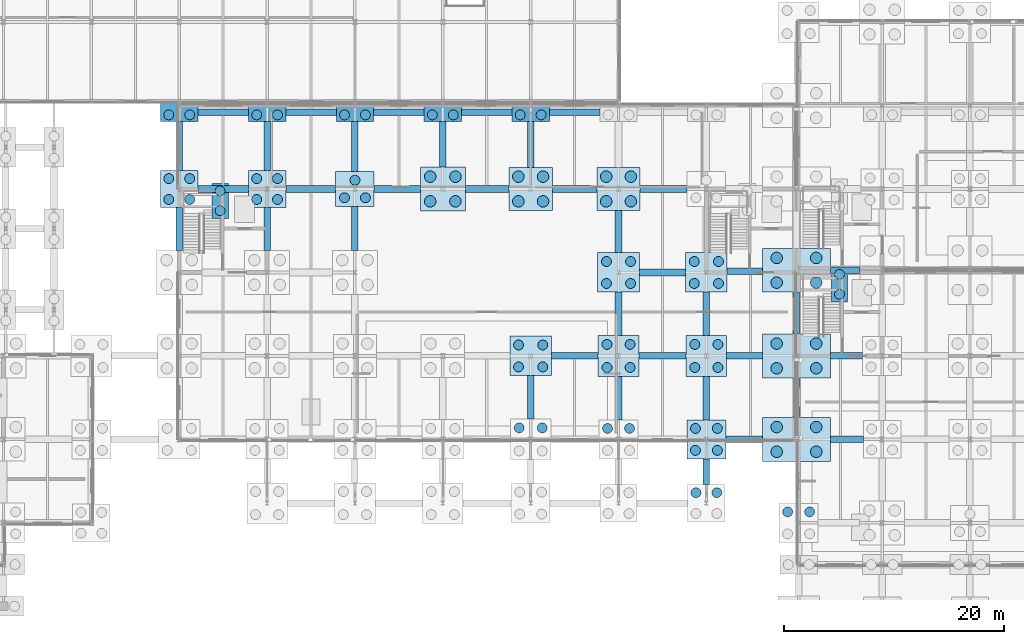
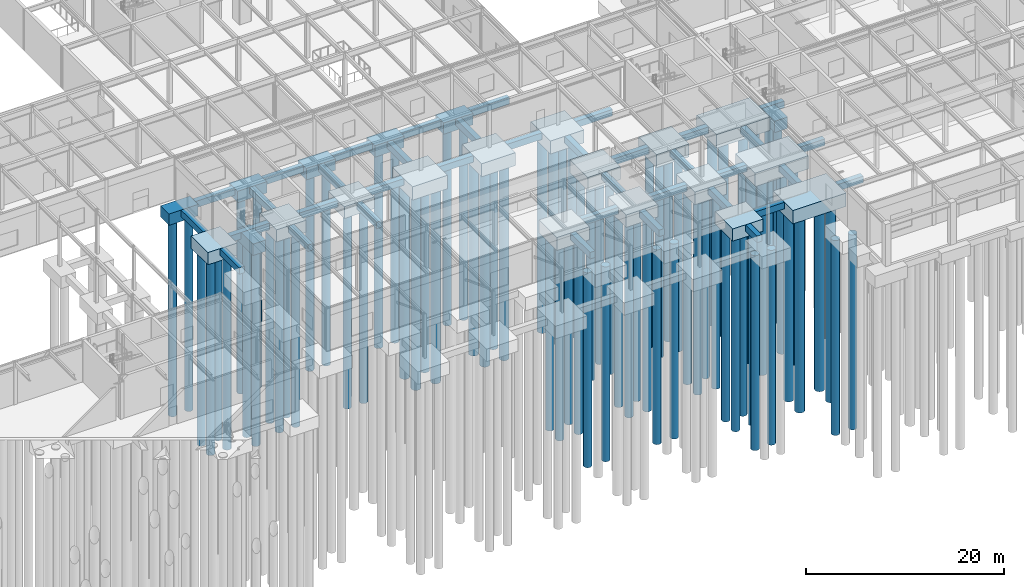
# One storey, part 4 of 62: 81 piles, 59 footings.
"""IFC4 building model written with IfcOpenShell, lengths in metres."""

import ifcopenshell
import ifcopenshell.guid

model = None  # the IFC model being written
_history = None  # IfcOwnerHistory: only IFC2X3 demands one
_inside = {}  # id of a spatial element -> (the spatial element, [elements in it])
_under = {}  # id of a project, library or spatial element -> (it, [spatial elements below it])
_declared = {}  # id of a project -> (the project, [libraries it declares])
_typed = {}  # id of a type object -> (the type object, [elements of that type])
_made_of = {}  # id of a material, layer set ... -> (it, [elements and type objects made of it])


def new_model(schema):
    """Start an empty IFC model of exactly this schema.

    Asked for "IFC4X3", IfcOpenShell would pick the latest addendum, in which some entities
    have other attributes; the version numbers below select the first issue.
    IFC2X3 requires an IfcOwnerHistory on every rooted entity: one is made here for all.
    """
    global model, _history
    if schema == "IFC4X3":
        model = ifcopenshell.file(schema_version=(4, 3, 0, 0))
    else:
        model = ifcopenshell.file(schema=schema)
    _inside.clear()
    _under.clear()
    _declared.clear()
    _typed.clear()
    _made_of.clear()
    _history = None
    if model.schema == "IFC2X3":
        org = make("IfcOrganization", Name="unknown")
        user = make(
            "IfcPersonAndOrganization",
            ThePerson=make("IfcPerson", FamilyName="unknown"),
            TheOrganization=org,
        )
        app = make(
            "IfcApplication",
            ApplicationDeveloper=org,
            Version="unknown",
            ApplicationFullName="unknown",
            ApplicationIdentifier="unknown",
        )
        _history = make(
            "IfcOwnerHistory",
            OwningUser=user,
            OwningApplication=app,
            ChangeAction="ADDED",
            CreationDate=0,
        )
    return model


def make(cls, **values):
    """One entity of the class cls with the attributes given. An attribute that is None is left unset."""
    return model.create_entity(
        cls, **{name: value for name, value in values.items() if value is not None}
    )


def rooted(cls, **values):
    """An entity with a GlobalId (a new one), such as an element, a storey or a relation."""
    return make(cls, GlobalId=ifcopenshell.guid.new(), OwnerHistory=_history, **values)


def si_unit(unit_type, name, prefix=None):
    """IfcSIUnit, for example si_unit("LENGTHUNIT", "METRE", prefix="MILLI")."""
    return make("IfcSIUnit", UnitType=unit_type, Prefix=prefix, Name=name)


def assignment(units):
    """IfcUnitAssignment: the units of a project."""
    return None if units is None else make("IfcUnitAssignment", Units=units)


def point(xyz):
    """IfcCartesianPoint."""
    return None if xyz is None else make("IfcCartesianPoint", Coordinates=xyz)


def direction(xyz):
    """IfcDirection."""
    return None if xyz is None else make("IfcDirection", DirectionRatios=xyz)


def frame(location, z_axis=None, x_axis=None):
    """IfcAxis2Placement3D, a coordinate frame: its origin and axes. An axis left out is left unset."""
    return make(
        "IfcAxis2Placement3D",
        Location=point(location),
        Axis=direction(z_axis),
        RefDirection=direction(x_axis),
    )


def frame_2d(location, x_axis=None):
    """IfcAxis2Placement2D, a coordinate frame in the plane: its origin and x axis."""
    return make(
        "IfcAxis2Placement2D", Location=point(location), RefDirection=direction(x_axis)
    )


def origin():
    """The frame at (0, 0, 0) with its axes left unset."""
    return frame((0.0, 0.0, 0.0))


def origin_2d():
    """The frame at (0, 0) in the plane with its x axis left unset."""
    return frame_2d((0.0, 0.0))


def place(relative_to, where):
    """IfcLocalPlacement: puts the frame where relative to a parent placement (None: the world)."""
    return make(
        "IfcLocalPlacement", PlacementRelTo=relative_to, RelativePlacement=where
    )


def context(
    kind, dimensions, precision=None, world=None, true_north=None, identifier=None
):
    """IfcGeometricRepresentationContext, for example the 3D "Model" context."""
    return make(
        "IfcGeometricRepresentationContext",
        ContextIdentifier=identifier,
        ContextType=kind,
        CoordinateSpaceDimension=dimensions,
        Precision=precision,
        WorldCoordinateSystem=world,
        TrueNorth=true_north,
    )


def subcontext(parent, identifier, kind, view, scale=None):
    """IfcGeometricRepresentationSubContext, for example "Body" below "Model"."""
    return make(
        "IfcGeometricRepresentationSubContext",
        ContextIdentifier=identifier,
        ContextType=kind,
        ParentContext=parent,
        TargetScale=scale,
        TargetView=view,
    )


def project(units=None, contexts=None):
    """IfcProject with its units and contexts."""
    return rooted(
        "IfcProject",
        Name="project",
        RepresentationContexts=contexts,
        UnitsInContext=assignment(units),
    )


def spatial(cls, under=None, at=None, **own):
    """A site, building, storey or space (cls), placed at a placement, below another one or the project."""
    s = rooted(cls, ObjectPlacement=at, **own)
    if under is not None:
        _under.setdefault(under.id(), (under, []))[1].append(s)
    return s


def profile(cls, at=None, kind="AREA", **sizes):
    """A parametric profile (cls). Its sizes go by their IFC names, for example OverallWidth=200.0."""
    return make(cls, ProfileType=kind, Position=at, **sizes)


def rectangle(**sizes):
    """IfcRectangleProfileDef."""
    return profile("IfcRectangleProfileDef", **sizes)


def circle(**sizes):
    """IfcCircleProfileDef."""
    return profile("IfcCircleProfileDef", **sizes)


def extrude(swept, where, along, depth):
    """IfcExtrudedAreaSolid: the profile swept, set in the frame where, extruded along a direction by depth."""
    return make(
        "IfcExtrudedAreaSolid",
        SweptArea=swept,
        Position=where,
        ExtrudedDirection=direction(along),
        Depth=depth,
    )


def shape(context_of_items, identifier, shape_type, items):
    """IfcShapeRepresentation: the items that make up one representation, for example the "Body"."""
    return make(
        "IfcShapeRepresentation",
        ContextOfItems=context_of_items,
        RepresentationIdentifier=identifier,
        RepresentationType=shape_type,
        Items=items,
    )


def material(Name=None, Category=None):
    """IfcMaterial."""
    return make("IfcMaterial", Name=Name, Category=Category)


def material_profile(
    of_material, cross_section, Name=None, Category=None, Priority=None
):
    """IfcMaterialProfile: a cross section and its material."""
    return make(
        "IfcMaterialProfile",
        Name=Name,
        Material=of_material,
        Profile=cross_section,
        Priority=Priority,
        Category=Category,
    )


def profile_set(profiles, Name=None, composite=None):
    """IfcMaterialProfileSet."""
    return make(
        "IfcMaterialProfileSet",
        Name=Name,
        MaterialProfiles=profiles,
        CompositeProfile=composite,
    )


def made_of(thing, what):
    """Note that an element or type object is made of a material, layer set ...; save() writes the relation."""
    if what is not None:
        _made_of.setdefault(what.id(), (what, []))[1].append(thing)
    return thing


def type_object(cls, material=None, **own):
    """A type object (cls), such as IfcWallType, which elements share."""
    return made_of(rooted(cls, **own), material)


def element(
    cls,
    number,
    at=None,
    inside=None,
    cuts=None,
    type_object=None,
    material=None,
    context=None,
    identifier="Body",
    shape_type=None,
    held_by="IfcProductDefinitionShape",
    body=None,
    shapes=None,
    **own,
):
    """One element of the class cls, such as IfcWall. Its Tag is "e" and its number.

    at: its placement. inside: the storey or other place that contains it. cuts: it is an
    opening in that element (IfcRelVoidsElement). A single representation is given by context,
    identifier, shape_type and body (its items); several are given by shapes. held_by: the class
    of the entity that holds the representations. save() writes the other relations.
    """
    e = rooted(cls, Tag="e%d" % number, ObjectPlacement=at, **own)
    if body is not None:
        shapes = [shape(context, identifier, shape_type, body)]
    if shapes is not None:
        e.Representation = make(held_by, Representations=shapes)
    if inside is not None:
        _inside.setdefault(inside.id(), (inside, []))[1].append(e)
    if cuts is not None:
        rooted(
            "IfcRelVoidsElement", RelatingBuildingElement=cuts, RelatedOpeningElement=e
        )
    if type_object is not None:
        _typed.setdefault(type_object.id(), (type_object, []))[1].append(e)
    return made_of(e, material)


def aggregate(whole, parts):
    """IfcRelAggregates: a whole, such as a stair, and the parts it consists of."""
    return rooted("IfcRelAggregates", RelatingObject=whole, RelatedObjects=parts)


def save(model, path):
    """Write the relations noted so far, then the file.

    IfcRelAggregates (storeys below a building ...), IfcRelContainedInSpatialStructure (elements
    in a storey), IfcRelDefinesByType, IfcRelAssociatesMaterial and IfcRelDeclares: one each for
    every whole, place, type object, material and project.
    """
    for whole, parts in _under.values():
        aggregate(whole, parts)
    for where, things in _inside.values():
        rooted(
            "IfcRelContainedInSpatialStructure",
            RelatedElements=things,
            RelatingStructure=where,
        )
    for kind, things in _typed.values():
        rooted("IfcRelDefinesByType", RelatedObjects=things, RelatingType=kind)
    for what, things in _made_of.values():
        rooted("IfcRelAssociatesMaterial", RelatedObjects=things, RelatingMaterial=what)
    for by, libraries in _declared.values():
        rooted("IfcRelDeclares", RelatingContext=by, RelatedDefinitions=libraries)
    model.write(path)


model = new_model("IFC4")

# Units and contexts
model_context = context("Model", 3, precision=1e-05, world=origin(), true_north=direction((0.0, 1.0)))
body_context = subcontext(model_context, "Body", "Model", "MODEL_VIEW")
ifc_project = project(units=[si_unit("LENGTHUNIT", "METRE"), si_unit("AREAUNIT", "SQUARE_METRE"), si_unit("VOLUMEUNIT", "CUBIC_METRE"), si_unit("PLANEANGLEUNIT", "RADIAN"), si_unit("MASSUNIT", "GRAM", prefix="KILO")], contexts=[model_context])

# Site, building, storey
site_placement = place(None, origin())
site = spatial("IfcSite", under=ifc_project, at=site_placement, CompositionType="ELEMENT")
building_placement = place(site_placement, origin())
building = spatial("IfcBuilding", under=site, at=building_placement, Name="Zulena Civic Courthouse", CompositionType="ELEMENT")
storey_placement = place(building_placement, origin())
storey = spatial("IfcBuildingStorey", under=building, at=storey_placement, Name="L00", CompositionType="ELEMENT", Elevation=0.0)

# Piles
ifc_material_1 = material(Name="Concrete C40/50", Category="concrete")
ifc_material_profile_1 = material_profile(ifc_material_1, circle(Radius=0.52490234375, at=origin_2d()), Name="PILE1050")
ifc_profile_set_1 = profile_set([ifc_material_profile_1], Name="Concrete C40/50")
pile_type_1 = type_object("IfcPileType", Name="BoredPile_1050", PredefinedType="BORED", material=ifc_profile_set_1)
for number, where, z_axis, x_axis, name in (
    (1, (90.85009765625, 36.875, -1.780029296875), (0.0, 0.0, -1.0), (1.0, 0.0, 0.0), "pile:L00:071:1"),
    (2, (93.14990234375, 36.875, -1.780029296875), (0.0, 0.0, -1.0), (1.0, 0.0, 0.0), "pile:L00:071:2"),
    (3, (90.85009765625, 39.125, -1.780029296875), (0.0, 0.0, -1.0), (1.0, 0.0, 0.0), "pile:L00:071:3"),
    (4, (93.14990234375, 39.125, -1.780029296875), (0.0, 0.0, -1.0), (1.0, 0.0, 0.0), "pile:L00:071:4"),
    (5, (98.875, 36.875, -1.72998046875), (0.0, 0.0, -1.0), (1.0, 0.0, 0.0), "pile:L00:076:1"),
    (6, (101.125, 36.875, -1.72998046875), (0.0, 0.0, -1.0), (1.0, 0.0, 0.0), "pile:L00:076:2"),
    (7, (98.875, 39.125, -1.72998046875), (0.0, 0.0, -1.0), (1.0, 0.0, 0.0), "pile:L00:076:3"),
    (8, (101.125, 39.125, -1.72998046875), (0.0, 0.0, -1.0), (1.0, 0.0, 0.0), "pile:L00:076:4"),
    (9, (106.875, 36.875, -1.72998046875), (0.0, 0.0, -1.0), (1.0, 0.0, 0.0), "pile:L00:082:1"),
    (10, (109.125, 36.875, -1.72998046875), (0.0, 0.0, -1.0), (1.0, 0.0, 0.0), "pile:L00:082:2"),
    (11, (106.875, 39.125, -1.72998046875), (0.0, 0.0, -1.0), (1.0, 0.0, 0.0), "pile:L00:082:3"),
    (12, (109.125, 39.125, -1.72998046875), (0.0, 0.0, -1.0), (1.0, 0.0, 0.0), "pile:L00:082:4"),
    (13, (122.39990234375, 14.074951171875, -1.780029296875), (0.0, 0.0, -1.0), (1.0, 0.0, 0.0), "pile:L00:090:1"),
    (14, (126.0, 14.074951171875, -1.780029296875), (0.0, 0.0, -1.0), (1.0, 0.0, 0.0), "pile:L00:090:2"),
    (15, (122.39990234375, 16.324951171875, -1.780029296875), (0.0, 0.0, -1.0), (1.0, 0.0, 0.0), "pile:L00:090:3"),
    (16, (126.0, 16.324951171875, -1.780029296875), (0.0, 0.0, -1.0), (1.0, 0.0, 0.0), "pile:L00:090:4"),
    (17, (122.39990234375, 21.675048828125, -1.780029296875), (0.0, 0.0, -1.0), (1.0, 0.0, 0.0), "pile:L00:091:1"),
    (18, (126.0, 21.675048828125, -1.780029296875), (0.0, 0.0, -1.0), (1.0, 0.0, 0.0), "pile:L00:091:2"),
    (19, (122.39990234375, 23.925048828125, -1.780029296875), (0.0, 0.0, -1.0), (1.0, 0.0, 0.0), "pile:L00:091:3"),
    (20, (126.0, 23.925048828125, -1.780029296875), (0.0, 0.0, -1.0), (1.0, 0.0, 0.0), "pile:L00:091:4"),
    (21, (122.39990234375, 29.47509765625, -1.780029296875), (0.0, 0.0, -1.0), (1.0, 0.0, 0.0), "pile:L00:092:1"),
    (22, (126.0, 29.47509765625, -1.780029296875), (0.0, 0.0, -1.0), (1.0, 0.0, 0.0), "pile:L00:092:2"),
    (23, (122.39990234375, 31.72509765625, -1.780029296875), (0.0, 0.0, -1.0), (1.0, 0.0, 0.0), "pile:L00:092:3"),
    (24, (126.0, 31.72509765625, -1.780029296875), (0.0, 0.0, -1.0), (1.0, 0.0, 0.0), "pile:L00:092:4"),
):
    element("IfcPile", number, at=place(storey_placement, frame(where, z_axis=z_axis, x_axis=x_axis)), inside=storey, type_object=pile_type_1, Name=name, PredefinedType="BORED", context=body_context, shape_type="SweptSolid", body=[
        extrude(circle(Radius=0.52490234375, at=origin_2d()), origin(), (0.0, 0.0, 1.0), 24.0),
    ])
ifc_material_profile_2 = material_profile(ifc_material_1, circle(Radius=0.449951171875, at=origin_2d()), Name="PILE900")
ifc_profile_set_2 = profile_set([ifc_material_profile_2], Name="Concrete C40/50")
pile_type_2 = type_object("IfcPileType", Name="BoredPile_900", PredefinedType="BORED", material=ifc_profile_set_2)
for number, where, z_axis, x_axis, name in (
    (25, (67.050048828125, 37.050048828125, -1.6298828125), (0.0, 0.0, -1.0), (1.0, 0.0, 0.0), "pile:L00:054:1"),
    (26, (68.949951171875, 37.050048828125, -1.6298828125), (0.0, 0.0, -1.0), (1.0, 0.0, 0.0), "pile:L00:054:2"),
    (27, (67.050048828125, 38.949951171875, -1.6298828125), (0.0, 0.0, -1.0), (1.0, 0.0, 0.0), "pile:L00:054:3"),
    (28, (68.949951171875, 38.949951171875, -1.6298828125), (0.0, 0.0, -1.0), (1.0, 0.0, 0.0), "pile:L00:054:4"),
    (29, (67.050048828125, 44.75, -1.530029296875), (0.0, 0.0, -1.0), (1.0, 0.0, 0.0), "pile:L00:055:1"),
    (30, (68.949951171875, 44.75, -1.530029296875), (0.0, 0.0, -1.0), (1.0, 0.0, 0.0), "pile:L00:055:2"),
    (31, (75.050048828125, 37.050048828125, -1.6298828125), (0.0, 0.0, -1.0), (1.0, 0.0, 0.0), "pile:L00:060:1"),
    (32, (76.949951171875, 37.050048828125, -1.6298828125), (0.0, 0.0, -1.0), (1.0, 0.0, 0.0), "pile:L00:060:2"),
    (33, (75.050048828125, 38.949951171875, -1.6298828125), (0.0, 0.0, -1.0), (1.0, 0.0, 0.0), "pile:L00:060:3"),
    (34, (76.949951171875, 38.949951171875, -1.6298828125), (0.0, 0.0, -1.0), (1.0, 0.0, 0.0), "pile:L00:060:4"),
    (35, (75.050048828125, 44.75, -1.530029296875), (0.0, 0.0, -1.0), (1.0, 0.0, 0.0), "pile:L00:061:1"),
    (36, (76.949951171875, 44.75, -1.530029296875), (0.0, 0.0, -1.0), (1.0, 0.0, 0.0), "pile:L00:061:2"),
    (37, (83.050048828125, 37.199951171875, -1.580078125), (0.0, 0.0, -1.0), (1.0, 0.0, 0.0), "pile:L00:066:1"),
    (38, (84.949951171875, 37.199951171875, -1.580078125), (0.0, 0.0, -1.0), (1.0, 0.0, 0.0), "pile:L00:066:2"),
    (39, (84.0, 38.800048828125, -1.580078125), (0.0, 0.0, -1.0), (1.0, 0.0, 0.0), "pile:L00:066:3"),
    (40, (83.050048828125, 44.75, -1.530029296875), (0.0, 0.0, -1.0), (1.0, 0.0, 0.0), "pile:L00:067:1"),
    (41, (84.949951171875, 44.75, -1.530029296875), (0.0, 0.0, -1.0), (1.0, 0.0, 0.0), "pile:L00:067:2"),
    (42, (91.050048828125, 44.75, -1.530029296875), (0.0, 0.0, -1.0), (1.0, 0.0, 0.0), "pile:L00:072:1"),
    (43, (92.949951171875, 44.75, -1.530029296875), (0.0, 0.0, -1.0), (1.0, 0.0, 0.0), "pile:L00:072:2"),
    (44, (98.949951171875, 16.25, -1.679931640625), (0.0, 0.0, -1.0), (1.0, 0.0, 0.0), "pile:L00:074:3"),
    (45, (101.050048828125, 16.25, -1.679931640625), (0.0, 0.0, -1.0), (1.0, 0.0, 0.0), "pile:L00:074:4"),
    (46, (98.89990234375, 21.800048828125, -1.72998046875), (0.0, 0.0, -1.0), (1.0, 0.0, 0.0), "pile:L00:075:1"),
    (47, (101.10009765625, 21.800048828125, -1.72998046875), (0.0, 0.0, -1.0), (1.0, 0.0, 0.0), "pile:L00:075:2"),
    (48, (98.89990234375, 23.800048828125, -1.72998046875), (0.0, 0.0, -1.0), (1.0, 0.0, 0.0), "pile:L00:075:3"),
    (49, (101.10009765625, 23.800048828125, -1.72998046875), (0.0, 0.0, -1.0), (1.0, 0.0, 0.0), "pile:L00:075:4"),
    (50, (99.050048828125, 44.75, -1.530029296875), (0.0, 0.0, -1.0), (1.0, 0.0, 0.0), "pile:L00:077:1"),
    (51, (100.949951171875, 44.75, -1.530029296875), (0.0, 0.0, -1.0), (1.0, 0.0, 0.0), "pile:L00:077:2"),
    (52, (107.0, 16.199951171875, -1.6298828125), (0.0, 0.0, -1.0), (1.0, 0.0, 0.0), "pile:L00:079:3"),
    (53, (109.0, 16.199951171875, -1.6298828125), (0.0, 0.0, -1.0), (1.0, 0.0, 0.0), "pile:L00:079:4"),
    (54, (106.949951171875, 21.75, -1.679931640625), (0.0, 0.0, -1.0), (1.0, 0.0, 0.0), "pile:L00:080:1"),
    (55, (109.050048828125, 21.75, -1.679931640625), (0.0, 0.0, -1.0), (1.0, 0.0, 0.0), "pile:L00:080:2"),
    (56, (106.949951171875, 23.85009765625, -1.679931640625), (0.0, 0.0, -1.0), (1.0, 0.0, 0.0), "pile:L00:080:3"),
    (57, (109.050048828125, 23.85009765625, -1.679931640625), (0.0, 0.0, -1.0), (1.0, 0.0, 0.0), "pile:L00:080:4"),
    (58, (106.89990234375, 29.39990234375, -1.72998046875), (0.0, 0.0, -1.0), (1.0, 0.0, 0.0), "pile:L00:081:1"),
    (59, (109.10009765625, 29.39990234375, -1.72998046875), (0.0, 0.0, -1.0), (1.0, 0.0, 0.0), "pile:L00:081:2"),
    (60, (106.89990234375, 31.39990234375, -1.72998046875), (0.0, 0.0, -1.0), (1.0, 0.0, 0.0), "pile:L00:081:3"),
    (61, (109.10009765625, 31.39990234375, -1.72998046875), (0.0, 0.0, -1.0), (1.0, 0.0, 0.0), "pile:L00:081:4"),
    (62, (115.050048828125, 10.35009765625, -1.6298828125), (0.0, 0.0, -1.0), (1.0, 0.0, 0.0), "pile:L00:084:3"),
    (63, (116.949951171875, 10.35009765625, -1.6298828125), (0.0, 0.0, -1.0), (1.0, 0.0, 0.0), "pile:L00:084:4"),
    (64, (115.0, 14.199951171875, -1.6298828125), (0.0, 0.0, -1.0), (1.0, 0.0, 0.0), "pile:L00:085:1"),
    (65, (117.0, 14.199951171875, -1.6298828125), (0.0, 0.0, -1.0), (1.0, 0.0, 0.0), "pile:L00:085:2"),
    (66, (115.0, 16.199951171875, -1.6298828125), (0.0, 0.0, -1.0), (1.0, 0.0, 0.0), "pile:L00:085:3"),
    (67, (117.0, 16.199951171875, -1.6298828125), (0.0, 0.0, -1.0), (1.0, 0.0, 0.0), "pile:L00:085:4"),
    (68, (114.949951171875, 21.75, -1.679931640625), (0.0, 0.0, -1.0), (1.0, 0.0, 0.0), "pile:L00:086:1"),
    (69, (117.050048828125, 21.75, -1.679931640625), (0.0, 0.0, -1.0), (1.0, 0.0, 0.0), "pile:L00:086:2"),
    (70, (114.949951171875, 23.85009765625, -1.679931640625), (0.0, 0.0, -1.0), (1.0, 0.0, 0.0), "pile:L00:086:3"),
    (71, (117.050048828125, 23.85009765625, -1.679931640625), (0.0, 0.0, -1.0), (1.0, 0.0, 0.0), "pile:L00:086:4"),
    (72, (114.89990234375, 29.39990234375, -1.72998046875), (0.0, 0.0, -1.0), (1.0, 0.0, 0.0), "pile:L00:087:1"),
    (73, (117.10009765625, 29.39990234375, -1.72998046875), (0.0, 0.0, -1.0), (1.0, 0.0, 0.0), "pile:L00:087:2"),
    (74, (114.89990234375, 31.39990234375, -1.72998046875), (0.0, 0.0, -1.0), (1.0, 0.0, 0.0), "pile:L00:087:3"),
    (75, (117.10009765625, 31.39990234375, -1.72998046875), (0.0, 0.0, -1.0), (1.0, 0.0, 0.0), "pile:L00:087:4"),
    (76, (123.39990234375, 8.60009765625, -1.6298828125), (0.0, 0.0, -1.0), (1.0, 0.0, 0.0), "pile:L00:097:3"),
    (77, (125.39990234375, 8.60009765625, -1.6298828125), (0.0, 0.0, -1.0), (1.0, 0.0, 0.0), "pile:L00:097:4"),
    (78, (128.1201171875, 28.419921875, -1.530029296875), (0.0, 0.0, -1.0), (1.0, 0.0, 0.0), "pile:stair:L00:03:1"),
    (79, (128.1201171875, 30.219970703125, -1.530029296875), (0.0, 0.0, -1.0), (1.0, 0.0, 0.0), "pile:stair:L00:03:2"),
    (80, (71.719970703125, 36.02001953125, -1.530029296875), (0.0, 0.0, -1.0), (1.0, 0.0, 0.0), "pile:stair:L00:07:1"),
    (81, (71.719970703125, 37.820068359375, -1.530029296875), (0.0, 0.0, -1.0), (1.0, 0.0, 0.0), "pile:stair:L00:07:2"),
):
    element("IfcPile", number, at=place(storey_placement, frame(where, z_axis=z_axis, x_axis=x_axis)), inside=storey, type_object=pile_type_2, Name=name, PredefinedType="BORED", context=body_context, shape_type="SweptSolid", body=[
        extrude(circle(Radius=0.449951171875, at=origin_2d()), origin(), (0.0, 0.0, 1.0), 24.0),
    ])

# Footings
ifc_material_2 = material(Name="Concrete C35/45", Category="concrete")
ifc_material_profile_3 = material_profile(ifc_material_2, rectangle(XDim=0.60009765625, YDim=0.800048828125, at=origin_2d()), Name="RC600X800")
ifc_profile_set_3 = profile_set([ifc_material_profile_3], Name="Concrete C35/45")
footing_type_1 = type_object("IfcFootingType", Name="GroundBeam_600x800", PredefinedType="FOOTING_BEAM", material=ifc_profile_set_3)
footing_1_placement = place(storey_placement, frame((117.77490234375, 15.199951171875, -0.6298828125), z_axis=(1.0, 0.0, 0.0), x_axis=(0.0, 1.0, 0.0)))
element("IfcFooting", 82, at=footing_1_placement, inside=storey, type_object=footing_type_1, Name="gbeam:X:L00:057", PredefinedType="FOOTING_BEAM", context=body_context, shape_type="SweptSolid", body=[
    extrude(rectangle(XDim=0.60009765625, YDim=0.800048828125, at=origin_2d()), origin(), (0.0, 0.0, 1.0), 3.3251953125),
])
footing_2_placement = place(storey_placement, frame((127.300048828125, 15.199951171875, -0.6298828125), z_axis=(1.0, 0.0, 0.0), x_axis=(0.0, 1.0, 0.0)))
element("IfcFooting", 83, at=footing_2_placement, inside=storey, type_object=footing_type_1, Name="gbeam:X:L00:058", PredefinedType="FOOTING_BEAM", context=body_context, shape_type="SweptSolid", body=[
    extrude(rectangle(XDim=0.60009765625, YDim=0.800048828125, at=origin_2d()), origin(), (0.0, 0.0, 1.0), 3.0),
])
footing_3_placement = place(storey_placement, frame((101.89990234375, 22.800048828125, -0.6298828125), z_axis=(1.0, 0.0, 0.0), x_axis=(0.0, 1.0, 0.0)))
element("IfcFooting", 84, at=footing_3_placement, inside=storey, type_object=footing_type_1, Name="gbeam:X:L00:076", PredefinedType="FOOTING_BEAM", context=body_context, shape_type="SweptSolid", body=[
    extrude(rectangle(XDim=0.60009765625, YDim=0.800048828125, at=origin_2d()), origin(), (0.0, 0.0, 1.0), 4.25),
])
footing_4_placement = place(storey_placement, frame((109.85009765625, 22.800048828125, -0.6298828125), z_axis=(1.0, 0.0, 0.0), x_axis=(0.0, 1.0, 0.0)))
element("IfcFooting", 85, at=footing_4_placement, inside=storey, type_object=footing_type_1, Name="gbeam:X:L00:077", PredefinedType="FOOTING_BEAM", context=body_context, shape_type="SweptSolid", body=[
    extrude(rectangle(XDim=0.60009765625, YDim=0.800048828125, at=origin_2d()), origin(), (0.0, 0.0, 1.0), 4.2998046875),
])
footing_5_placement = place(storey_placement, frame((117.85009765625, 22.800048828125, -0.6298828125), z_axis=(1.0, 0.0, 0.0), x_axis=(0.0, 1.0, 0.0)))
element("IfcFooting", 86, at=footing_5_placement, inside=storey, type_object=footing_type_1, Name="gbeam:X:L00:078", PredefinedType="FOOTING_BEAM", context=body_context, shape_type="SweptSolid", body=[
    extrude(rectangle(XDim=0.60009765625, YDim=0.800048828125, at=origin_2d()), origin(), (0.0, 0.0, 1.0), 3.25),
])
footing_6_placement = place(storey_placement, frame((127.300048828125, 22.800048828125, -0.6298828125), z_axis=(1.0, 0.0, 0.0), x_axis=(0.0, 1.0, 0.0)))
element("IfcFooting", 87, at=footing_6_placement, inside=storey, type_object=footing_type_1, Name="gbeam:X:L00:079", PredefinedType="FOOTING_BEAM", context=body_context, shape_type="SweptSolid", body=[
    extrude(rectangle(XDim=0.60009765625, YDim=0.800048828125, at=origin_2d()), origin(), (0.0, 0.0, 1.0), 2.925048828125),
])
footing_7_placement = place(storey_placement, frame((109.89990234375, 30.39990234375, -0.6298828125), z_axis=(1.0, 0.0, 0.0), x_axis=(0.0, 1.0, 0.0)))
element("IfcFooting", 88, at=footing_7_placement, inside=storey, type_object=footing_type_1, Name="gbeam:X:L00:089", PredefinedType="FOOTING_BEAM", context=body_context, shape_type="SweptSolid", body=[
    extrude(rectangle(XDim=0.60009765625, YDim=0.800048828125, at=origin_2d()), origin(), (0.0, 0.0, 1.0), 4.2001953125),
])
footing_8_placement = place(storey_placement, frame((117.89990234375, 30.5, -0.6298828125), z_axis=(1.0, 0.0, 0.0), x_axis=(0.0, 1.0, 0.0)))
element("IfcFooting", 89, at=footing_8_placement, inside=storey, type_object=footing_type_1, Name="gbeam:X:L00:090", PredefinedType="FOOTING_BEAM", context=body_context, shape_type="SweptSolid", body=[
    extrude(rectangle(XDim=0.60009765625, YDim=0.800048828125, at=origin_2d()), origin(), (0.0, 0.0, 1.0), 3.2001953125),
])
footing_9_placement = place(storey_placement, frame((127.300048828125, 30.60009765625, -0.6298828125), z_axis=(1.0, 0.0, 0.0), x_axis=(0.0, 1.0, 0.0)))
element("IfcFooting", 90, at=footing_9_placement, inside=storey, type_object=footing_type_1, Name="gbeam:X:L00:091", PredefinedType="FOOTING_BEAM", context=body_context, shape_type="SweptSolid", body=[
    extrude(rectangle(XDim=0.60009765625, YDim=0.800048828125, at=origin_2d()), origin(), (0.0, 0.0, 1.0), 2.699951171875),
])
footing_10_placement = place(storey_placement, frame((69.699951171875, 38.0, -0.6298828125), z_axis=(1.0, 0.0, 0.0), x_axis=(0.0, 1.0, 0.0)))
element("IfcFooting", 91, at=footing_10_placement, inside=storey, type_object=footing_type_1, Name="gbeam:X:L00:099", PredefinedType="FOOTING_BEAM", context=body_context, shape_type="SweptSolid", body=[
    extrude(rectangle(XDim=0.60009765625, YDim=0.800048828125, at=origin_2d()), origin(), (0.0, 0.0, 1.0), 4.60009765625),
])
footing_11_placement = place(storey_placement, frame((77.699951171875, 38.0, -0.6298828125), z_axis=(1.0, 0.0, 0.0), x_axis=(0.0, 1.0, 0.0)))
element("IfcFooting", 92, at=footing_11_placement, inside=storey, type_object=footing_type_1, Name="gbeam:X:L00:100", PredefinedType="FOOTING_BEAM", context=body_context, shape_type="SweptSolid", body=[
    extrude(rectangle(XDim=0.60009765625, YDim=0.800048828125, at=origin_2d()), origin(), (0.0, 0.0, 1.0), 4.550048828125),
])
footing_12_placement = place(storey_placement, frame((85.75, 38.0, -0.6298828125), z_axis=(1.0, 0.0, 0.0), x_axis=(0.0, 1.0, 0.0)))
element("IfcFooting", 93, at=footing_12_placement, inside=storey, type_object=footing_type_1, Name="gbeam:X:L00:101", PredefinedType="FOOTING_BEAM", context=body_context, shape_type="SweptSolid", body=[
    extrude(rectangle(XDim=0.60009765625, YDim=0.800048828125, at=origin_2d()), origin(), (0.0, 0.0, 1.0), 4.199951171875),
])
footing_13_placement = place(storey_placement, frame((94.050048828125, 38.0, -0.6298828125), z_axis=(1.0, 0.0, 0.0), x_axis=(0.0, 1.0, 0.0)))
element("IfcFooting", 94, at=footing_13_placement, inside=storey, type_object=footing_type_1, Name="gbeam:X:L00:102", PredefinedType="FOOTING_BEAM", context=body_context, shape_type="SweptSolid", body=[
    extrude(rectangle(XDim=0.60009765625, YDim=0.800048828125, at=origin_2d()), origin(), (0.0, 0.0, 1.0), 3.974853515625),
])
footing_14_placement = place(storey_placement, frame((101.97509765625, 38.0, -0.6298828125), z_axis=(1.0, 0.0, 0.0), x_axis=(0.0, 1.0, 0.0)))
element("IfcFooting", 95, at=footing_14_placement, inside=storey, type_object=footing_type_1, Name="gbeam:X:L00:103", PredefinedType="FOOTING_BEAM", context=body_context, shape_type="SweptSolid", body=[
    extrude(rectangle(XDim=0.60009765625, YDim=0.800048828125, at=origin_2d()), origin(), (0.0, 0.0, 1.0), 4.0498046875),
])
footing_15_placement = place(storey_placement, frame((109.97509765625, 38.0, -0.6298828125), z_axis=(1.0, 0.0, 0.0), x_axis=(0.0, 1.0, 0.0)))
element("IfcFooting", 96, at=footing_15_placement, inside=storey, type_object=footing_type_1, Name="gbeam:X:L00:104", PredefinedType="FOOTING_BEAM", context=body_context, shape_type="SweptSolid", body=[
    extrude(rectangle(XDim=0.60009765625, YDim=0.800048828125, at=origin_2d()), origin(), (0.0, 0.0, 1.0), 4.27490234375),
])
for number, where, z_axis, x_axis, name in (
    (97, (69.699951171875, 45.0, -0.6298828125), (1.0, 0.0, 0.0), (0.0, 1.0, 0.0), "gbeam:X:L00:114"),
    (98, (77.699951171875, 45.0, -0.6298828125), (1.0, 0.0, 0.0), (0.0, 1.0, 0.0), "gbeam:X:L00:115"),
    (99, (85.699951171875, 45.0, -0.6298828125), (1.0, 0.0, 0.0), (0.0, 1.0, 0.0), "gbeam:X:L00:116"),
    (100, (93.699951171875, 45.0, -0.6298828125), (1.0, 0.0, 0.0), (0.0, 1.0, 0.0), "gbeam:X:L00:117"),
    (101, (101.699951171875, 45.0, -0.6298828125), (1.0, 0.0, 0.0), (0.0, 1.0, 0.0), "gbeam:X:L00:118"),
):
    element("IfcFooting", number, at=place(storey_placement, frame(where, z_axis=z_axis, x_axis=x_axis)), inside=storey, type_object=footing_type_1, Name=name, PredefinedType="FOOTING_BEAM", context=body_context, shape_type="SweptSolid", body=[
        extrude(rectangle(XDim=0.60009765625, YDim=0.800048828125, at=origin_2d()), origin(), (0.0, 0.0, 1.0), 4.60009765625),
    ])
footing_16_placement = place(storey_placement, frame((68.0, 32.39990234375, -0.6298828125), z_axis=(0.0, 1.0, 0.0), x_axis=(-1.0, 0.0, 0.0)))
element("IfcFooting", 102, at=footing_16_placement, inside=storey, type_object=footing_type_1, Name="gbeam:Y:L00:169", PredefinedType="FOOTING_BEAM", context=body_context, shape_type="SweptSolid", body=[
    extrude(rectangle(XDim=0.60009765625, YDim=0.800048828125, at=origin_2d()), origin(), (0.0, 0.0, 1.0), 3.900146484375),
])
footing_17_placement = place(storey_placement, frame((68.0, 39.699951171875, -0.6298828125), z_axis=(0.0, 1.0, 0.0), x_axis=(-1.0, 0.0, 0.0)))
element("IfcFooting", 103, at=footing_17_placement, inside=storey, type_object=footing_type_1, Name="gbeam:Y:L00:170", PredefinedType="FOOTING_BEAM", context=body_context, shape_type="SweptSolid", body=[
    extrude(rectangle(XDim=0.60009765625, YDim=0.800048828125, at=origin_2d()), origin(), (0.0, 0.0, 1.0), 4.449951171875),
])
footing_18_placement = place(storey_placement, frame((76.0, 32.39990234375, -0.6298828125), z_axis=(0.0, 1.0, 0.0), x_axis=(-1.0, 0.0, 0.0)))
element("IfcFooting", 104, at=footing_18_placement, inside=storey, type_object=footing_type_1, Name="gbeam:Y:L00:174", PredefinedType="FOOTING_BEAM", context=body_context, shape_type="SweptSolid", body=[
    extrude(rectangle(XDim=0.60009765625, YDim=0.800048828125, at=origin_2d()), origin(), (0.0, 0.0, 1.0), 3.900146484375),
])
footing_19_placement = place(storey_placement, frame((76.0, 39.699951171875, -0.6298828125), z_axis=(0.0, 1.0, 0.0), x_axis=(-1.0, 0.0, 0.0)))
element("IfcFooting", 105, at=footing_19_placement, inside=storey, type_object=footing_type_1, Name="gbeam:Y:L00:175", PredefinedType="FOOTING_BEAM", context=body_context, shape_type="SweptSolid", body=[
    extrude(rectangle(XDim=0.60009765625, YDim=0.800048828125, at=origin_2d()), origin(), (0.0, 0.0, 1.0), 4.449951171875),
])
footing_20_placement = place(storey_placement, frame((84.0, 32.39990234375, -0.6298828125), z_axis=(0.0, 1.0, 0.0), x_axis=(-1.0, 0.0, 0.0)))
element("IfcFooting", 106, at=footing_20_placement, inside=storey, type_object=footing_type_1, Name="gbeam:Y:L00:179", PredefinedType="FOOTING_BEAM", context=body_context, shape_type="SweptSolid", body=[
    extrude(rectangle(XDim=0.60009765625, YDim=0.800048828125, at=origin_2d()), origin(), (0.0, 0.0, 1.0), 4.0),
])
footing_21_placement = place(storey_placement, frame((84.0, 39.60009765625, -0.6298828125), z_axis=(0.0, 1.0, 0.0), x_axis=(-1.0, 0.0, 0.0)))
element("IfcFooting", 107, at=footing_21_placement, inside=storey, type_object=footing_type_1, Name="gbeam:Y:L00:180", PredefinedType="FOOTING_BEAM", context=body_context, shape_type="SweptSolid", body=[
    extrude(rectangle(XDim=0.60009765625, YDim=0.800048828125, at=origin_2d()), origin(), (0.0, 0.0, 1.0), 4.5498046875),
])
footing_22_placement = place(storey_placement, frame((92.0, 40.0, -0.6298828125), z_axis=(0.0, 1.0, 0.0), x_axis=(-1.0, 0.0, 0.0)))
element("IfcFooting", 108, at=footing_22_placement, inside=storey, type_object=footing_type_1, Name="gbeam:Y:L00:183", PredefinedType="FOOTING_BEAM", context=body_context, shape_type="SweptSolid", body=[
    extrude(rectangle(XDim=0.60009765625, YDim=0.800048828125, at=origin_2d()), origin(), (0.0, 0.0, 1.0), 4.14990234375),
])
footing_23_placement = place(storey_placement, frame((100.0, 17.050048828125, -0.6298828125), z_axis=(0.0, 1.0, 0.0), x_axis=(-1.0, 0.0, 0.0)))
element("IfcFooting", 109, at=footing_23_placement, inside=storey, type_object=footing_type_1, Name="gbeam:Y:L00:185", PredefinedType="FOOTING_BEAM", context=body_context, shape_type="SweptSolid", body=[
    extrude(rectangle(XDim=0.60009765625, YDim=0.800048828125, at=origin_2d()), origin(), (0.0, 0.0, 1.0), 3.949951171875),
])
footing_24_placement = place(storey_placement, frame((100.0, 39.97509765625, -0.6298828125), z_axis=(0.0, 1.0, 0.0), x_axis=(-1.0, 0.0, 0.0)))
element("IfcFooting", 110, at=footing_24_placement, inside=storey, type_object=footing_type_1, Name="gbeam:Y:L00:186", PredefinedType="FOOTING_BEAM", context=body_context, shape_type="SweptSolid", body=[
    extrude(rectangle(XDim=0.60009765625, YDim=0.800048828125, at=origin_2d()), origin(), (0.0, 0.0, 1.0), 4.1748046875),
])
footing_25_placement = place(storey_placement, frame((108.0, 16.97509765625, -0.6298828125), z_axis=(0.0, 1.0, 0.0), x_axis=(-1.0, 0.0, 0.0)))
element("IfcFooting", 111, at=footing_25_placement, inside=storey, type_object=footing_type_1, Name="gbeam:Y:L00:188", PredefinedType="FOOTING_BEAM", context=body_context, shape_type="SweptSolid", body=[
    extrude(rectangle(XDim=0.60009765625, YDim=0.800048828125, at=origin_2d()), origin(), (0.0, 0.0, 1.0), 3.974853515625),
])
footing_26_placement = place(storey_placement, frame((108.0, 24.64990234375, -0.6298828125), z_axis=(0.0, 1.0, 0.0), x_axis=(-1.0, 0.0, 0.0)))
element("IfcFooting", 112, at=footing_26_placement, inside=storey, type_object=footing_type_1, Name="gbeam:Y:L00:189", PredefinedType="FOOTING_BEAM", context=body_context, shape_type="SweptSolid", body=[
    extrude(rectangle(XDim=0.60009765625, YDim=0.800048828125, at=origin_2d()), origin(), (0.0, 0.0, 1.0), 3.9501953125),
])
footing_27_placement = place(storey_placement, frame((108.0, 32.199951171875, -0.6298828125), z_axis=(0.0, 1.0, 0.0), x_axis=(-1.0, 0.0, 0.0)))
element("IfcFooting", 113, at=footing_27_placement, inside=storey, type_object=footing_type_1, Name="gbeam:Y:L00:190", PredefinedType="FOOTING_BEAM", context=body_context, shape_type="SweptSolid", body=[
    extrude(rectangle(XDim=0.60009765625, YDim=0.800048828125, at=origin_2d()), origin(), (0.0, 0.0, 1.0), 3.824951171875),
])
footing_28_placement = place(storey_placement, frame((116.0, 11.10009765625, -0.6298828125), z_axis=(0.0, 1.0, 0.0), x_axis=(-1.0, 0.0, 0.0)))
element("IfcFooting", 114, at=footing_28_placement, inside=storey, type_object=footing_type_1, Name="gbeam:Y:L00:192", PredefinedType="FOOTING_BEAM", context=body_context, shape_type="SweptSolid", body=[
    extrude(rectangle(XDim=0.60009765625, YDim=0.800048828125, at=origin_2d()), origin(), (0.0, 0.0, 1.0), 2.324951171875),
])
footing_29_placement = place(storey_placement, frame((116.0, 16.97509765625, -0.6298828125), z_axis=(0.0, 1.0, 0.0), x_axis=(-1.0, 0.0, 0.0)))
element("IfcFooting", 115, at=footing_29_placement, inside=storey, type_object=footing_type_1, Name="gbeam:Y:L00:193", PredefinedType="FOOTING_BEAM", context=body_context, shape_type="SweptSolid", body=[
    extrude(rectangle(XDim=0.60009765625, YDim=0.800048828125, at=origin_2d()), origin(), (0.0, 0.0, 1.0), 3.974853515625),
])
footing_30_placement = place(storey_placement, frame((116.0, 24.64990234375, -0.6298828125), z_axis=(0.0, 1.0, 0.0), x_axis=(-1.0, 0.0, 0.0)))
element("IfcFooting", 116, at=footing_30_placement, inside=storey, type_object=footing_type_1, Name="gbeam:Y:L00:194", PredefinedType="FOOTING_BEAM", context=body_context, shape_type="SweptSolid", body=[
    extrude(rectangle(XDim=0.60009765625, YDim=0.800048828125, at=origin_2d()), origin(), (0.0, 0.0, 1.0), 3.9501953125),
])
footing_31_placement = place(storey_placement, frame((124.199951171875, 17.199951171875, -0.6298828125), z_axis=(0.0, 1.0, 0.0), x_axis=(-1.0, 0.0, 0.0)))
element("IfcFooting", 117, at=footing_31_placement, inside=storey, type_object=footing_type_1, Name="gbeam:Y:L00:197", PredefinedType="FOOTING_BEAM", context=body_context, shape_type="SweptSolid", body=[
    extrude(rectangle(XDim=0.60009765625, YDim=0.800048828125, at=origin_2d()), origin(), (0.0, 0.0, 1.0), 3.60009765625),
])
footing_32_placement = place(storey_placement, frame((124.199951171875, 24.800048828125, -0.6298828125), z_axis=(0.0, 1.0, 0.0), x_axis=(-1.0, 0.0, 0.0)))
element("IfcFooting", 118, at=footing_32_placement, inside=storey, type_object=footing_type_1, Name="gbeam:Y:L00:198", PredefinedType="FOOTING_BEAM", context=body_context, shape_type="SweptSolid", body=[
    extrude(rectangle(XDim=0.60009765625, YDim=0.800048828125, at=origin_2d()), origin(), (0.0, 0.0, 1.0), 3.800048828125),
])
footing_type_2 = type_object("IfcFootingType", Name="PileCap_2P_1500x3200", PredefinedType="PILE_CAP", material=ifc_material_1)
for number, where, z_axis, x_axis, name in (
    (119, (128.1201171875, 29.320068359375, -1.6298828125), (0.0, 0.0, 1.0), (1.0, 0.0, 0.0), "cap:stair:L00:03"),
    (120, (71.719970703125, 36.919921875, -1.6298828125), (0.0, 0.0, 1.0), (1.0, 0.0, 0.0), "cap:stair:L00:07"),
):
    element("IfcFooting", number, at=place(storey_placement, frame(where, z_axis=z_axis, x_axis=x_axis)), inside=storey, type_object=footing_type_2, Name=name, PredefinedType="PILE_CAP", context=body_context, shape_type="SweptSolid", body=[
        extrude(rectangle(XDim=1.5, YDim=3.199951171875, at=origin_2d()), origin(), (0.0, 0.0, 1.0), 1.39990234375),
    ])
footing_type_3 = type_object("IfcFootingType", Name="PileCap_2P_3400x1700", PredefinedType="PILE_CAP", material=ifc_material_1)
for number, where, z_axis, x_axis, name in (
    (121, (68.0, 45.0, -1.6298828125), (0.0, 0.0, 1.0), (1.0, 0.0, 0.0), "cap:L00:055"),
    (122, (76.0, 45.0, -1.6298828125), (0.0, 0.0, 1.0), (1.0, 0.0, 0.0), "cap:L00:061"),
    (123, (84.0, 45.0, -1.6298828125), (0.0, 0.0, 1.0), (1.0, 0.0, 0.0), "cap:L00:067"),
    (124, (92.0, 45.0, -1.6298828125), (0.0, 0.0, 1.0), (1.0, 0.0, 0.0), "cap:L00:072"),
    (125, (100.0, 45.0, -1.6298828125), (0.0, 0.0, 1.0), (1.0, 0.0, 0.0), "cap:L00:077"),
):
    element("IfcFooting", number, at=place(storey_placement, frame(where, z_axis=z_axis, x_axis=x_axis)), inside=storey, type_object=footing_type_3, Name=name, PredefinedType="PILE_CAP", context=body_context, shape_type="SweptSolid", body=[
        extrude(rectangle(XDim=3.39990234375, YDim=1.699951171875, at=origin_2d()), origin(), (0.0, 0.0, 1.0), 1.39990234375),
    ])
footing_type_4 = type_object("IfcFootingType", Name="PileCap_3P_3500x3200", PredefinedType="PILE_CAP", material=ifc_material_1)
footing_33_placement = place(storey_placement, frame((84.0, 38.0, -1.68017578125), z_axis=(0.0, 0.0, 1.0), x_axis=(1.0, 0.0, 0.0)))
element("IfcFooting", 126, at=footing_33_placement, inside=storey, type_object=footing_type_4, Name="cap:L00:066", PredefinedType="PILE_CAP", context=body_context, shape_type="SweptSolid", body=[
    extrude(rectangle(XDim=3.5, YDim=3.199951171875, at=origin_2d()), origin(), (0.0, 0.0, 1.0), 1.449951171875),
])
footing_type_5 = type_object("IfcFootingType", Name="PileCap_4P_3400x3400", PredefinedType="PILE_CAP", material=ifc_material_1)
for number, where, z_axis, x_axis, name in (
    (127, (68.0, 38.0, -1.72998046875), (0.0, 0.0, 1.0), (1.0, 0.0, 0.0), "cap:L00:054"),
    (128, (76.0, 38.0, -1.72998046875), (0.0, 0.0, 1.0), (1.0, 0.0, 0.0), "cap:L00:060"),
):
    element("IfcFooting", number, at=place(storey_placement, frame(where, z_axis=z_axis, x_axis=x_axis)), inside=storey, type_object=footing_type_5, Name=name, PredefinedType="PILE_CAP", context=body_context, shape_type="SweptSolid", body=[
        extrude(rectangle(XDim=3.39990234375, YDim=3.39990234375, at=origin_2d()), origin(), (0.0, 0.0, 1.0), 1.5),
    ])
footing_type_6 = type_object("IfcFootingType", Name="PileCap_4P_3550x3550", PredefinedType="PILE_CAP", material=ifc_material_1)
footing_34_placement = place(storey_placement, frame((116.0, 15.199951171875, -1.72998046875), z_axis=(0.0, 0.0, 1.0), x_axis=(1.0, 0.0, 0.0)))
element("IfcFooting", 129, at=footing_34_placement, inside=storey, type_object=footing_type_6, Name="cap:L00:085", PredefinedType="PILE_CAP", context=body_context, shape_type="SweptSolid", body=[
    extrude(rectangle(XDim=3.550048828125, YDim=3.550048828125, at=origin_2d()), origin(), (0.0, 0.0, 1.0), 1.5),
])
footing_type_7 = type_object("IfcFootingType", Name="PileCap_4P_3700x3700", PredefinedType="PILE_CAP", material=ifc_material_1)
for number, where, z_axis, x_axis, name in (
    (130, (108.0, 22.800048828125, -1.77978515625), (0.0, 0.0, 1.0), (1.0, 0.0, 0.0), "cap:L00:080"),
    (131, (116.0, 22.800048828125, -1.77978515625), (0.0, 0.0, 1.0), (1.0, 0.0, 0.0), "cap:L00:086"),
):
    element("IfcFooting", number, at=place(storey_placement, frame(where, z_axis=z_axis, x_axis=x_axis)), inside=storey, type_object=footing_type_7, Name=name, PredefinedType="PILE_CAP", context=body_context, shape_type="SweptSolid", body=[
        extrude(rectangle(XDim=3.699951171875, YDim=3.699951171875, at=origin_2d()), origin(), (0.0, 0.0, 1.0), 1.550048828125),
    ])
footing_type_8 = type_object("IfcFootingType", Name="PileCap_4P_3800x3600", PredefinedType="PILE_CAP", material=ifc_material_1)
for number, where, z_axis, x_axis, name in (
    (132, (100.0, 22.800048828125, -1.830078125), (0.0, 0.0, 1.0), (1.0, 0.0, 0.0), "cap:L00:075"),
    (133, (108.0, 30.39990234375, -1.830078125), (0.0, 0.0, 1.0), (1.0, 0.0, 0.0), "cap:L00:081"),
    (134, (116.0, 30.39990234375, -1.830078125), (0.0, 0.0, 1.0), (1.0, 0.0, 0.0), "cap:L00:087"),
):
    element("IfcFooting", number, at=place(storey_placement, frame(where, z_axis=z_axis, x_axis=x_axis)), inside=storey, type_object=footing_type_8, Name=name, PredefinedType="PILE_CAP", context=body_context, shape_type="SweptSolid", body=[
        extrude(rectangle(XDim=3.800048828125, YDim=3.60009765625, at=origin_2d()), origin(), (0.0, 0.0, 1.0), 1.60009765625),
    ])
footing_type_9 = type_object("IfcFootingType", Name="PileCap_4P_3950x3950", PredefinedType="PILE_CAP", material=ifc_material_1)
for number, where, z_axis, x_axis, name in (
    (135, (100.0, 38.0, -1.830078125), (0.0, 0.0, 1.0), (1.0, 0.0, 0.0), "cap:L00:076"),
    (136, (108.0, 38.0, -1.830078125), (0.0, 0.0, 1.0), (1.0, 0.0, 0.0), "cap:L00:082"),
):
    element("IfcFooting", number, at=place(storey_placement, frame(where, z_axis=z_axis, x_axis=x_axis)), inside=storey, type_object=footing_type_9, Name=name, PredefinedType="PILE_CAP", context=body_context, shape_type="SweptSolid", body=[
        extrude(rectangle(XDim=3.949951171875, YDim=3.949951171875, at=origin_2d()), origin(), (0.0, 0.0, 1.0), 1.60009765625),
    ])
footing_type_10 = type_object("IfcFootingType", Name="PileCap_4P_4100x4000", PredefinedType="PILE_CAP", material=ifc_material_1)
footing_35_placement = place(storey_placement, frame((92.0, 38.0, -1.8798828125), z_axis=(0.0, 0.0, 1.0), x_axis=(1.0, 0.0, 0.0)))
element("IfcFooting", 137, at=footing_35_placement, inside=storey, type_object=footing_type_10, Name="cap:L00:071", PredefinedType="PILE_CAP", context=body_context, shape_type="SweptSolid", body=[
    extrude(rectangle(XDim=4.10009765625, YDim=4.0, at=origin_2d()), origin(), (0.0, 0.0, 1.0), 1.64990234375),
])
footing_type_11 = type_object("IfcFootingType", Name="PileCap_4P_6200x4000", PredefinedType="PILE_CAP", material=ifc_material_1)
for number, where, z_axis, x_axis, name in (
    (138, (124.199951171875, 15.199951171875, -1.8798828125), (0.0, 0.0, 1.0), (1.0, 0.0, 0.0), "cap:L00:090"),
    (139, (124.199951171875, 22.800048828125, -1.8798828125), (0.0, 0.0, 1.0), (1.0, 0.0, 0.0), "cap:L00:091"),
    (140, (124.199951171875, 30.60009765625, -1.8798828125), (0.0, 0.0, 1.0), (1.0, 0.0, 0.0), "cap:L00:092"),
):
    element("IfcFooting", number, at=place(storey_placement, frame(where, z_axis=z_axis, x_axis=x_axis)), inside=storey, type_object=footing_type_11, Name=name, PredefinedType="PILE_CAP", context=body_context, shape_type="SweptSolid", body=[
        extrude(rectangle(XDim=6.199951171875, YDim=4.0, at=origin_2d()), origin(), (0.0, 0.0, 1.0), 1.64990234375),
    ])

save(model, "model.ifc")
